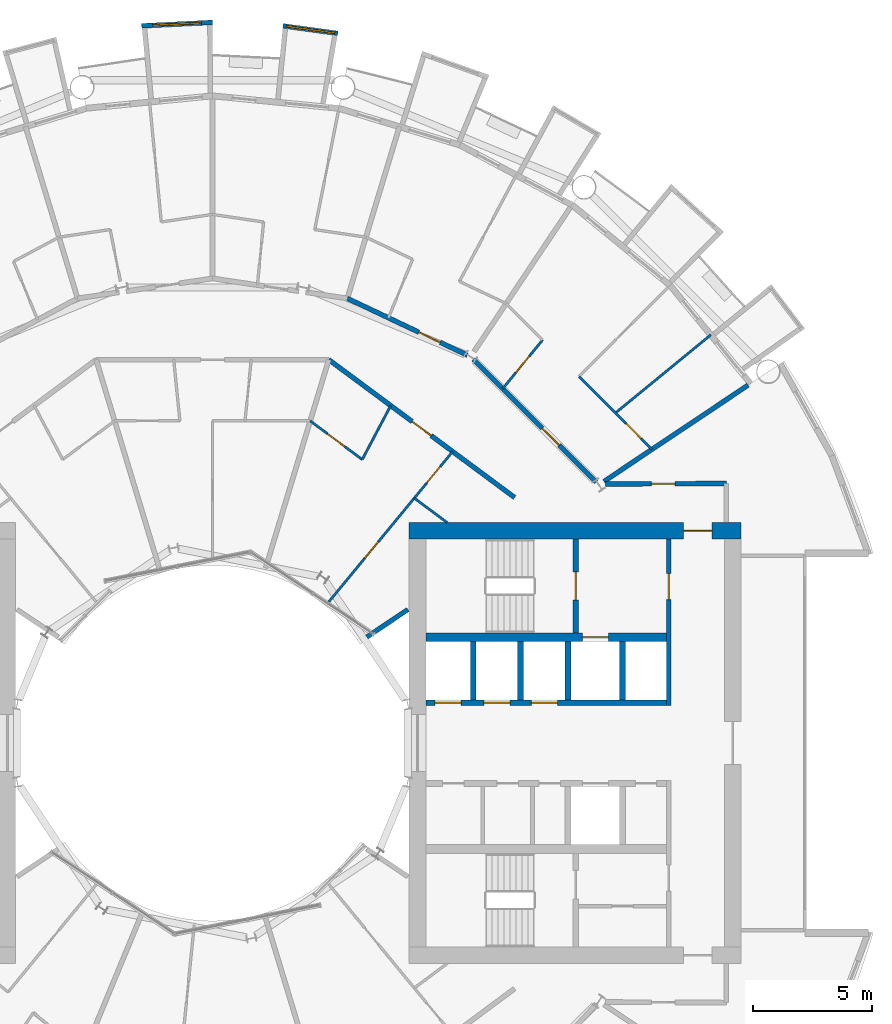
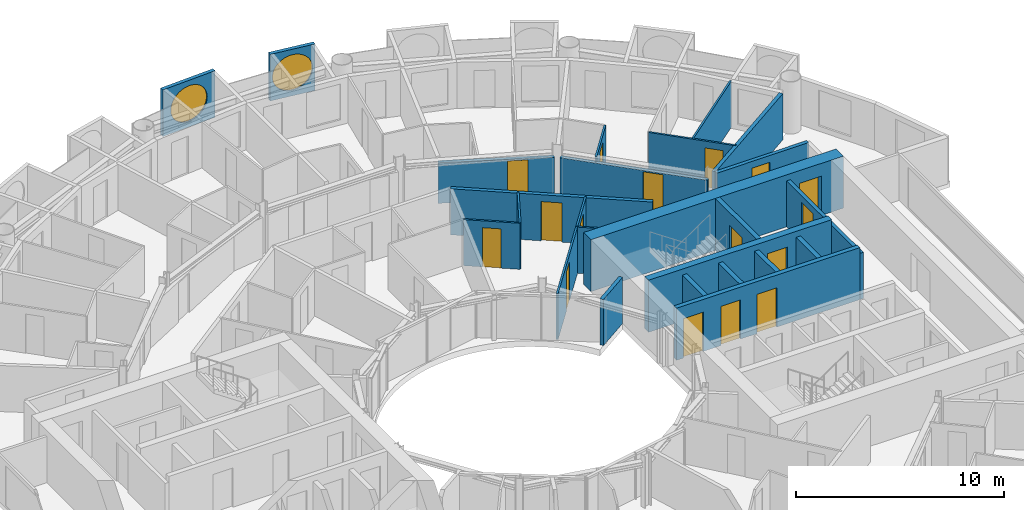
# One storey, part 21 of 26: 24 walls, 16 doors, 2 windows, 18 openings.
"""IFC4 building model written with IfcOpenShell, lengths in metres."""

import ifcopenshell
import ifcopenshell.guid

model = None  # the IFC model being written
_history = None  # IfcOwnerHistory: only IFC2X3 demands one
_inside = {}  # id of a spatial element -> (the spatial element, [elements in it])
_under = {}  # id of a project, library or spatial element -> (it, [spatial elements below it])
_declared = {}  # id of a project -> (the project, [libraries it declares])
_typed = {}  # id of a type object -> (the type object, [elements of that type])
_made_of = {}  # id of a material, layer set ... -> (it, [elements and type objects made of it])


def new_model(schema):
    """Start an empty IFC model of exactly this schema.

    Asked for "IFC4X3", IfcOpenShell would pick the latest addendum, in which some entities
    have other attributes; the version numbers below select the first issue.
    IFC2X3 requires an IfcOwnerHistory on every rooted entity: one is made here for all.
    """
    global model, _history
    if schema == "IFC4X3":
        model = ifcopenshell.file(schema_version=(4, 3, 0, 0))
    else:
        model = ifcopenshell.file(schema=schema)
    _inside.clear()
    _under.clear()
    _declared.clear()
    _typed.clear()
    _made_of.clear()
    _history = None
    if model.schema == "IFC2X3":
        org = make("IfcOrganization", Name="unknown")
        user = make(
            "IfcPersonAndOrganization",
            ThePerson=make("IfcPerson", FamilyName="unknown"),
            TheOrganization=org,
        )
        app = make(
            "IfcApplication",
            ApplicationDeveloper=org,
            Version="unknown",
            ApplicationFullName="unknown",
            ApplicationIdentifier="unknown",
        )
        _history = make(
            "IfcOwnerHistory",
            OwningUser=user,
            OwningApplication=app,
            ChangeAction="ADDED",
            CreationDate=0,
        )
    return model


def make(cls, **values):
    """One entity of the class cls with the attributes given. An attribute that is None is left unset."""
    return model.create_entity(
        cls, **{name: value for name, value in values.items() if value is not None}
    )


def rooted(cls, **values):
    """An entity with a GlobalId (a new one), such as an element, a storey or a relation."""
    return make(cls, GlobalId=ifcopenshell.guid.new(), OwnerHistory=_history, **values)


def si_unit(unit_type, name, prefix=None):
    """IfcSIUnit, for example si_unit("LENGTHUNIT", "METRE", prefix="MILLI")."""
    return make("IfcSIUnit", UnitType=unit_type, Prefix=prefix, Name=name)


def assignment(units):
    """IfcUnitAssignment: the units of a project."""
    return None if units is None else make("IfcUnitAssignment", Units=units)


def point(xyz):
    """IfcCartesianPoint."""
    return None if xyz is None else make("IfcCartesianPoint", Coordinates=xyz)


def direction(xyz):
    """IfcDirection."""
    return None if xyz is None else make("IfcDirection", DirectionRatios=xyz)


def frame(location, z_axis=None, x_axis=None):
    """IfcAxis2Placement3D, a coordinate frame: its origin and axes. An axis left out is left unset."""
    return make(
        "IfcAxis2Placement3D",
        Location=point(location),
        Axis=direction(z_axis),
        RefDirection=direction(x_axis),
    )


def frame_2d(location, x_axis=None):
    """IfcAxis2Placement2D, a coordinate frame in the plane: its origin and x axis."""
    return make(
        "IfcAxis2Placement2D", Location=point(location), RefDirection=direction(x_axis)
    )


def origin():
    """The frame at (0, 0, 0) with its axes left unset."""
    return frame((0.0, 0.0, 0.0))


def place(relative_to, where):
    """IfcLocalPlacement: puts the frame where relative to a parent placement (None: the world)."""
    return make(
        "IfcLocalPlacement", PlacementRelTo=relative_to, RelativePlacement=where
    )


def context(
    kind, dimensions, precision=None, world=None, true_north=None, identifier=None
):
    """IfcGeometricRepresentationContext, for example the 3D "Model" context."""
    return make(
        "IfcGeometricRepresentationContext",
        ContextIdentifier=identifier,
        ContextType=kind,
        CoordinateSpaceDimension=dimensions,
        Precision=precision,
        WorldCoordinateSystem=world,
        TrueNorth=true_north,
    )


def subcontext(parent, identifier, kind, view, scale=None):
    """IfcGeometricRepresentationSubContext, for example "Body" below "Model"."""
    return make(
        "IfcGeometricRepresentationSubContext",
        ContextIdentifier=identifier,
        ContextType=kind,
        ParentContext=parent,
        TargetScale=scale,
        TargetView=view,
    )


def project(units=None, contexts=None):
    """IfcProject with its units and contexts."""
    return rooted(
        "IfcProject",
        Name="project",
        RepresentationContexts=contexts,
        UnitsInContext=assignment(units),
    )


def spatial(cls, under=None, at=None, **own):
    """A site, building, storey or space (cls), placed at a placement, below another one or the project."""
    s = rooted(cls, ObjectPlacement=at, **own)
    if under is not None:
        _under.setdefault(under.id(), (under, []))[1].append(s)
    return s


def profile(cls, at=None, kind="AREA", **sizes):
    """A parametric profile (cls). Its sizes go by their IFC names, for example OverallWidth=200.0."""
    return make(cls, ProfileType=kind, Position=at, **sizes)


def rectangle(**sizes):
    """IfcRectangleProfileDef."""
    return profile("IfcRectangleProfileDef", **sizes)


def circle(**sizes):
    """IfcCircleProfileDef."""
    return profile("IfcCircleProfileDef", **sizes)


def extrude(swept, where, along, depth):
    """IfcExtrudedAreaSolid: the profile swept, set in the frame where, extruded along a direction by depth."""
    return make(
        "IfcExtrudedAreaSolid",
        SweptArea=swept,
        Position=where,
        ExtrudedDirection=direction(along),
        Depth=depth,
    )


def shape(context_of_items, identifier, shape_type, items):
    """IfcShapeRepresentation: the items that make up one representation, for example the "Body"."""
    return make(
        "IfcShapeRepresentation",
        ContextOfItems=context_of_items,
        RepresentationIdentifier=identifier,
        RepresentationType=shape_type,
        Items=items,
    )


def material(Name=None, Category=None):
    """IfcMaterial."""
    return make("IfcMaterial", Name=Name, Category=Category)


def layer(
    of_material, thickness, ventilated=None, Name=None, Category=None, Priority=None
):
    """IfcMaterialLayer: one layer of a wall or slab, of a material (None: an air gap)."""
    return make(
        "IfcMaterialLayer",
        Material=of_material,
        LayerThickness=thickness,
        IsVentilated=ventilated,
        Name=Name,
        Category=Category,
        Priority=Priority,
    )


def layer_set(layers, Name=None):
    """IfcMaterialLayerSet."""
    return make("IfcMaterialLayerSet", MaterialLayers=layers, LayerSetName=Name)


def made_of(thing, what):
    """Note that an element or type object is made of a material, layer set ...; save() writes the relation."""
    if what is not None:
        _made_of.setdefault(what.id(), (what, []))[1].append(thing)
    return thing


def type_object(cls, material=None, **own):
    """A type object (cls), such as IfcWallType, which elements share."""
    return made_of(rooted(cls, **own), material)


def element(
    cls,
    number,
    at=None,
    inside=None,
    cuts=None,
    type_object=None,
    material=None,
    context=None,
    identifier="Body",
    shape_type=None,
    held_by="IfcProductDefinitionShape",
    body=None,
    shapes=None,
    **own,
):
    """One element of the class cls, such as IfcWall. Its Tag is "e" and its number.

    at: its placement. inside: the storey or other place that contains it. cuts: it is an
    opening in that element (IfcRelVoidsElement). A single representation is given by context,
    identifier, shape_type and body (its items); several are given by shapes. held_by: the class
    of the entity that holds the representations. save() writes the other relations.
    """
    e = rooted(cls, Tag="e%d" % number, ObjectPlacement=at, **own)
    if body is not None:
        shapes = [shape(context, identifier, shape_type, body)]
    if shapes is not None:
        e.Representation = make(held_by, Representations=shapes)
    if inside is not None:
        _inside.setdefault(inside.id(), (inside, []))[1].append(e)
    if cuts is not None:
        rooted(
            "IfcRelVoidsElement", RelatingBuildingElement=cuts, RelatedOpeningElement=e
        )
    if type_object is not None:
        _typed.setdefault(type_object.id(), (type_object, []))[1].append(e)
    return made_of(e, material)


def fill(opening, filler):
    """IfcRelFillsElement: the door or window that sits in an opening."""
    return rooted(
        "IfcRelFillsElement",
        RelatingOpeningElement=opening,
        RelatedBuildingElement=filler,
    )


def aggregate(whole, parts):
    """IfcRelAggregates: a whole, such as a stair, and the parts it consists of."""
    return rooted("IfcRelAggregates", RelatingObject=whole, RelatedObjects=parts)


def save(model, path):
    """Write the relations noted so far, then the file.

    IfcRelAggregates (storeys below a building ...), IfcRelContainedInSpatialStructure (elements
    in a storey), IfcRelDefinesByType, IfcRelAssociatesMaterial and IfcRelDeclares: one each for
    every whole, place, type object, material and project.
    """
    for whole, parts in _under.values():
        aggregate(whole, parts)
    for where, things in _inside.values():
        rooted(
            "IfcRelContainedInSpatialStructure",
            RelatedElements=things,
            RelatingStructure=where,
        )
    for kind, things in _typed.values():
        rooted("IfcRelDefinesByType", RelatedObjects=things, RelatingType=kind)
    for what, things in _made_of.values():
        rooted("IfcRelAssociatesMaterial", RelatedObjects=things, RelatingMaterial=what)
    for by, libraries in _declared.values():
        rooted("IfcRelDeclares", RelatingContext=by, RelatedDefinitions=libraries)
    model.write(path)


model = new_model("IFC4")

# Units and contexts
model_context = context("Model", 3, precision=1e-05, world=origin(), true_north=direction((0.0, 1.0)))
body_context = subcontext(model_context, "Body", "Model", "MODEL_VIEW")
ifc_project = project(units=[si_unit("LENGTHUNIT", "METRE"), si_unit("AREAUNIT", "SQUARE_METRE"), si_unit("VOLUMEUNIT", "CUBIC_METRE"), si_unit("PLANEANGLEUNIT", "RADIAN"), si_unit("MASSUNIT", "GRAM", prefix="KILO")], contexts=[model_context])

# Site, building, storey
site_placement = place(None, origin())
site = spatial("IfcSite", under=ifc_project, at=site_placement, CompositionType="ELEMENT")
building_placement = place(site_placement, origin())
building = spatial("IfcBuilding", under=site, at=building_placement, Name="Maasbend Ring Residences", CompositionType="ELEMENT")
storey_placement = place(building_placement, frame((0.0, 0.0, 78.85009765625)))
storey = spatial("IfcBuildingStorey", under=building, at=storey_placement, Name="L22", CompositionType="ELEMENT", Elevation=78.85009765625)

# Wall, openings, doors
ifc_material_1 = material(Name="Concrete C70/85", Category="concrete")
ifc_layer_1 = layer(ifc_material_1, 0.25)
ifc_layer_set_1 = layer_set([ifc_layer_1], Name="Concrete C70/85")
wall_type_1 = type_object("IfcWallType", Name="CORE WALL 250 C70/85", PredefinedType="SHEAR", material=ifc_layer_set_1)
wall_1_placement = place(storey_placement, frame((9.0, 1.699951171875, 0.0), z_axis=(0.0, 0.0, 1.0), x_axis=(1.0, 0.0, 0.0)))
wall_1 = element("IfcWall", 1, at=wall_1_placement, inside=storey, type_object=wall_type_1, Name="L22 core E wall SPN", PredefinedType="SHEAR", context=body_context, shape_type="SweptSolid", body=[
    extrude(rectangle(XDim=10.14990234375, YDim=0.25, at=frame_2d((5.074951171875, 0.0))), origin(), (0.0, 0.0, 1.0), 3.0498046875),
])
opening_1_placement = place(wall_1_placement, frame((0.387451171875, 0.0, 0.0)))
opening_1 = element("IfcOpeningElement", 2, at=opening_1_placement, cuts=wall_1, Name="Opening LD-E2201", PredefinedType="OPENING", context=body_context, shape_type="SweptSolid", body=[
    extrude(rectangle(XDim=1.10009765625, YDim=2.300048828125, at=frame_2d((0.550048828125, 1.14990234375))), frame((0.0, 0.135009765625, 0.0), z_axis=(0.0, -1.0, 0.0), x_axis=(1.0, 0.0, 0.0)), (0.0, 0.0, 1.0), 0.27001953125),
])
opening_2_placement = place(wall_1_placement, frame((2.449951171875, 0.0, 0.0)))
opening_2 = element("IfcOpeningElement", 3, at=opening_2_placement, cuts=wall_1, Name="Opening LD-E2202", PredefinedType="OPENING", context=body_context, shape_type="SweptSolid", body=[
    extrude(rectangle(XDim=1.10009765625, YDim=2.300048828125, at=frame_2d((0.550048828125, 1.14990234375))), frame((0.0, 0.135009765625, 0.0), z_axis=(0.0, -1.0, 0.0), x_axis=(1.0, 0.0, 0.0)), (0.0, 0.0, 1.0), 0.27001953125),
])
opening_3_placement = place(wall_1_placement, frame((4.449951171875, 0.0, 0.0)))
opening_3 = element("IfcOpeningElement", 4, at=opening_3_placement, cuts=wall_1, Name="Opening LD-E2203", PredefinedType="OPENING", context=body_context, shape_type="SweptSolid", body=[
    extrude(rectangle(XDim=1.10009765625, YDim=2.300048828125, at=frame_2d((0.550048828125, 1.14990234375))), frame((0.0, 0.135009765625, 0.0), z_axis=(0.0, -1.0, 0.0), x_axis=(1.0, 0.0, 0.0)), (0.0, 0.0, 1.0), 0.27001953125),
])
ifc_material_2 = material(Name="Stainless steel 316", Category="steel")
door_type_1 = type_object("IfcDoorType", Name="LANDING DOOR 1100 X 2300 FD60", OperationType="DOUBLE_DOOR_SLIDING", PredefinedType="DOOR", material=ifc_material_2)
door_1_placement = place(opening_1_placement, origin())
door_1 = element("IfcDoor", 5, at=door_1_placement, inside=storey, type_object=door_type_1, Name="Landing door LR-E1 L22", OperationType="DOUBLE_DOOR_SLIDING", OverallHeight=2.300048828125, OverallWidth=1.10009765625, PredefinedType="DOOR", context=body_context, shape_type="SweptSolid", body=[
    extrude(rectangle(XDim=1.10009765625, YDim=2.300048828125, at=frame_2d((0.550048828125, 1.14990234375))), frame((0.0, 0.02490234375, 0.0), z_axis=(0.0, -1.0, 0.0), x_axis=(1.0, 0.0, 0.0)), (0.0, 0.0, 1.0), 0.050048828125),
])
fill(opening_1, door_1)
door_2_placement = place(opening_2_placement, origin())
door_2 = element("IfcDoor", 6, at=door_2_placement, inside=storey, type_object=door_type_1, Name="Landing door LR-E2 L22", OperationType="DOUBLE_DOOR_SLIDING", OverallHeight=2.300048828125, OverallWidth=1.10009765625, PredefinedType="DOOR", context=body_context, shape_type="SweptSolid", body=[
    extrude(rectangle(XDim=1.10009765625, YDim=2.300048828125, at=frame_2d((0.550048828125, 1.14990234375))), frame((0.0, 0.02490234375, 0.0), z_axis=(0.0, -1.0, 0.0), x_axis=(1.0, 0.0, 0.0)), (0.0, 0.0, 1.0), 0.050048828125),
])
fill(opening_2, door_2)
door_3_placement = place(opening_3_placement, origin())
door_3 = element("IfcDoor", 7, at=door_3_placement, inside=storey, type_object=door_type_1, Name="Landing door LR-E3 L22", OperationType="DOUBLE_DOOR_SLIDING", OverallHeight=2.300048828125, OverallWidth=1.10009765625, PredefinedType="DOOR", context=body_context, shape_type="SweptSolid", body=[
    extrude(rectangle(XDim=1.10009765625, YDim=2.300048828125, at=frame_2d((0.550048828125, 1.14990234375))), frame((0.0, 0.02490234375, 0.0), z_axis=(0.0, -1.0, 0.0), x_axis=(1.0, 0.0, 0.0)), (0.0, 0.0, 1.0), 0.050048828125),
])
fill(opening_3, door_3)

# Wall, opening, door
wall_2_placement = place(storey_placement, frame((15.324951171875, 4.64990234375, 0.0), z_axis=(0.0, 0.0, 1.0), x_axis=(0.0, 1.0, 0.0)))
wall_2 = element("IfcWall", 8, at=wall_2_placement, inside=storey, type_object=wall_type_1, Name="L22 core E wall STEN", PredefinedType="SHEAR", context=body_context, shape_type="SweptSolid", body=[
    extrude(rectangle(XDim=3.9501953125, YDim=0.25, at=frame_2d((1.97509765625, 0.0))), origin(), (0.0, 0.0, 1.0), 3.0498046875),
])
opening_4_placement = place(wall_2_placement, frame((1.375, 0.0, 0.0)))
opening_4 = element("IfcOpeningElement", 9, at=opening_4_placement, cuts=wall_2, Name="Opening D-E2211", PredefinedType="OPENING", context=body_context, shape_type="SweptSolid", body=[
    extrude(rectangle(XDim=1.199951171875, YDim=2.300048828125, at=frame_2d((0.60009765625, 1.14990234375))), frame((0.0, 0.135009765625, 0.0), z_axis=(0.0, -1.0, 0.0), x_axis=(1.0, 0.0, 0.0)), (0.0, 0.0, 1.0), 0.27001953125),
])
ifc_material_3 = material(Name="Steel, powder coated", Category="steel")
door_type_2 = type_object("IfcDoorType", Name="STAIR DOOR 1200 X 2300 FD60", OperationType="NOTDEFINED", PredefinedType="DOOR", material=ifc_material_3)
door_4_placement = place(opening_4_placement, origin())
door_4 = element("IfcDoor", 10, at=door_4_placement, inside=storey, type_object=door_type_2, Name="Stair door ST-E L22", OperationType="SINGLE_SWING_LEFT", OverallHeight=2.300048828125, OverallWidth=1.199951171875, PredefinedType="DOOR", context=body_context, shape_type="SweptSolid", body=[
    extrude(rectangle(XDim=1.199951171875, YDim=2.300048828125, at=frame_2d((0.60009765625, 1.14990234375))), frame((0.0, 0.02490234375, 0.0), z_axis=(0.0, -1.0, 0.0), x_axis=(1.0, 0.0, 0.0)), (0.0, 0.0, 1.0), 0.050048828125),
])
fill(opening_4, door_4)

ifc_material_4 = material(Name="Concrete C70/85", Category="concrete")
ifc_layer_2 = layer(ifc_material_4, 0.375)
ifc_layer_set_2 = layer_set([ifc_layer_2], Name="Concrete C70/85")
wall_type_2 = type_object("IfcWallType", Name="CORE WALL 375 C70/85", PredefinedType="SHEAR", material=ifc_layer_set_2)
wall_3_placement = place(storey_placement, frame((9.0, 4.46240234375, 0.0), z_axis=(0.0, 0.0, 1.0), x_axis=(1.0, 0.0, 0.0)))
wall_3 = element("IfcWall", 11, at=wall_3_placement, inside=storey, type_object=wall_type_2, Name="L22 core E wall BN", PredefinedType="SHEAR", context=body_context, shape_type="SweptSolid", body=[
    extrude(rectangle(XDim=10.14990234375, YDim=0.375, at=frame_2d((5.074951171875, 0.0))), origin(), (0.0, 0.0, 1.0), 3.0498046875),
])
opening_5_placement = place(wall_3_placement, frame((6.60009765625, 0.0, 0.0)))
opening_5 = element("IfcOpeningElement", 12, at=opening_5_placement, cuts=wall_3, Name="Opening LD-E2204", PredefinedType="OPENING", context=body_context, shape_type="SweptSolid", body=[
    extrude(rectangle(XDim=1.10009765625, YDim=2.300048828125, at=frame_2d((0.550048828125, 1.14990234375))), frame((0.0, 0.197509765625, 0.0), z_axis=(0.0, -1.0, 0.0), x_axis=(1.0, 0.0, 0.0)), (0.0, 0.0, 1.0), 0.39501953125),
])
door_5_placement = place(opening_5_placement, origin())
door_5 = element("IfcDoor", 13, at=door_5_placement, inside=storey, type_object=door_type_1, Name="Landing door FF-E L22", OperationType="DOUBLE_DOOR_SLIDING", OverallHeight=2.300048828125, OverallWidth=1.10009765625, PredefinedType="DOOR", context=body_context, shape_type="SweptSolid", body=[
    extrude(rectangle(XDim=1.10009765625, YDim=2.300048828125, at=frame_2d((0.550048828125, 1.14990234375))), frame((0.0, 0.02490234375, 0.0), z_axis=(0.0, -1.0, 0.0), x_axis=(1.0, 0.0, 0.0)), (0.0, 0.0, 1.0), 0.050048828125),
])
fill(opening_5, door_5)

ifc_material_5 = material(Name="Concrete C70/85", Category="concrete")
ifc_layer_3 = layer(ifc_material_5, 0.699951171875)
ifc_layer_set_3 = layer_set([ifc_layer_3], Name="Concrete C70/85")
wall_type_3 = type_object("IfcWallType", Name="CORE WALL 700 C70/85", PredefinedType="SHEAR", material=ifc_layer_set_3)
wall_4_placement = place(storey_placement, frame((22.300048828125, 8.949951171875, 0.0), z_axis=(0.0, 0.0, 1.0), x_axis=(-1.0, 0.0, 0.0)))
wall_4 = element("IfcWall", 14, at=wall_4_placement, inside=storey, type_object=wall_type_3, Name="L22 core E wall PN", PredefinedType="SHEAR", context=body_context, shape_type="SweptSolid", body=[
    extrude(rectangle(XDim=14.0, YDim=0.699951171875, at=frame_2d((7.0, 0.0))), origin(), (0.0, 0.0, 1.0), 3.0498046875),
])
opening_6_placement = place(wall_4_placement, frame((1.22509765625, 0.0, 0.0)))
opening_6 = element("IfcOpeningElement", 15, at=opening_6_placement, cuts=wall_4, Name="Opening D-E2215", PredefinedType="OPENING", context=body_context, shape_type="SweptSolid", body=[
    extrude(rectangle(XDim=1.199951171875, YDim=2.300048828125, at=frame_2d((0.60009765625, 1.14990234375))), frame((0.0, 0.35986328125, 0.0), z_axis=(0.0, -1.0, 0.0), x_axis=(1.0, 0.0, 0.0)), (0.0, 0.0, 1.0), 0.719970703125),
])
ifc_material_6 = material(Name="Steel, powder coated", Category="steel")
door_type_3 = type_object("IfcDoorType", Name="CORRIDOR DOOR 1200 X 2300 FD30S", OperationType="NOTDEFINED", PredefinedType="DOOR", material=ifc_material_6)
door_6_placement = place(opening_6_placement, origin())
door_6 = element("IfcDoor", 16, at=door_6_placement, inside=storey, type_object=door_type_3, Name="Corridor door L22", OperationType="SINGLE_SWING_RIGHT", OverallHeight=2.300048828125, OverallWidth=1.199951171875, PredefinedType="DOOR", context=body_context, shape_type="SweptSolid", body=[
    extrude(rectangle(XDim=1.199951171875, YDim=2.300048828125, at=frame_2d((0.60009765625, 1.14990234375))), frame((0.0, 0.02490234375, 0.0), z_axis=(0.0, -1.0, 0.0), x_axis=(1.0, 0.0, 0.0)), (0.0, 0.0, 1.0), 0.050048828125),
])
fill(opening_6, door_6)

ifc_material_7 = material(Name="Concrete C30/37", Category="concrete")
ifc_layer_4 = layer(ifc_material_7, 0.199951171875)
ifc_layer_set_4 = layer_set([ifc_layer_4], Name="Concrete C30/37")
wall_type_4 = type_object("IfcWallType", Name="CORRIDOR WALL 200 CONCRETE", PredefinedType="PARTITIONING", material=ifc_layer_set_4)
wall_5_placement = place(storey_placement, frame((16.587890625, 10.925048828125, 0.0), z_axis=(0.0, 0.0, 1.0), x_axis=(0.999988019025, 0.004895079807, 0.0)))
wall_5 = element("IfcWall", 17, at=wall_5_placement, inside=storey, type_object=wall_type_4, Name="U-L22-w097", PredefinedType="PARTITIONING", context=body_context, shape_type="SweptSolid", body=[
    extrude(rectangle(XDim=5.087158203125, YDim=0.199951171875, at=frame_2d((2.54345703125, 0.0))), origin(), (0.0, 0.0, 1.0), 2.699951171875),
])
opening_7_placement = place(wall_5_placement, frame((1.925048828125, 0.0, 0.0)))
opening_7 = element("IfcOpeningElement", 18, at=opening_7_placement, cuts=wall_5, Name="Opening D-2271", PredefinedType="OPENING", context=body_context, shape_type="SweptSolid", body=[
    extrude(rectangle(XDim=1.0, YDim=2.300048828125, at=frame_2d((0.5, 1.14990234375))), frame((0.0, 0.10986328125, 0.0), z_axis=(0.0, -1.0, 0.0), x_axis=(1.0, 0.0, 0.0)), (0.0, 0.0, 1.0), 0.219970703125),
])
ifc_material_8 = material(Name="Timber, painted", Category="wood")
door_type_4 = type_object("IfcDoorType", Name="ROOM DOOR 1000 X 2300", OperationType="NOTDEFINED", PredefinedType="DOOR", material=ifc_material_8)
door_7_placement = place(opening_7_placement, origin())
door_7 = element("IfcDoor", 19, at=door_7_placement, inside=storey, type_object=door_type_4, Name="D-2271", OperationType="SINGLE_SWING_LEFT", OverallHeight=2.300048828125, OverallWidth=1.0, PredefinedType="DOOR", context=body_context, shape_type="SweptSolid", body=[
    extrude(rectangle(XDim=1.0, YDim=2.300048828125, at=frame_2d((0.5, 1.14990234375))), frame((0.0, 0.02490234375, 0.0), z_axis=(0.0, -1.0, 0.0), x_axis=(1.0, 0.0, 0.0)), (0.0, 0.0, 1.0), 0.050048828125),
])
fill(opening_7, door_7)

wall_6_placement = place(storey_placement, frame((4.906005859375, 16.172119140625, 0.0), z_axis=(0.0, 0.0, 1.0), x_axis=(0.803191461888, -0.595720971219, 0.0)))
wall_6 = element("IfcWall", 20, at=wall_6_placement, inside=storey, type_object=wall_type_4, Name="U-L22-w105", PredefinedType="PARTITIONING", context=body_context, shape_type="SweptSolid", body=[
    extrude(rectangle(XDim=9.760009765625, YDim=0.199951171875, at=frame_2d((4.8798828125, 0.0))), origin(), (0.0, 0.0, 1.0), 2.699951171875),
])
opening_8_placement = place(wall_6_placement, frame((4.3798828125, 0.0, 0.0)))
opening_8 = element("IfcOpeningElement", 21, at=opening_8_placement, cuts=wall_6, Name="Opening D-2221", PredefinedType="OPENING", context=body_context, shape_type="SweptSolid", body=[
    extrude(rectangle(XDim=1.0, YDim=2.300048828125, at=frame_2d((0.5, 1.14990234375))), frame((0.0, 0.10986328125, 0.0), z_axis=(0.0, -1.0, 0.0), x_axis=(1.0, 0.0, 0.0)), (0.0, 0.0, 1.0), 0.219970703125),
])
ifc_material_9 = material(Name="Timber, fire-rated, painted", Category="wood")
door_type_5 = type_object("IfcDoorType", Name="FLAT ENTRANCE DOOR 1000 X 2300 FIRE-RATED", OperationType="NOTDEFINED", PredefinedType="DOOR", material=ifc_material_9)
door_8_placement = place(opening_8_placement, origin())
door_8 = element("IfcDoor", 22, at=door_8_placement, inside=storey, type_object=door_type_5, Name="D-2221", OperationType="SINGLE_SWING_LEFT", OverallHeight=2.300048828125, OverallWidth=1.0, PredefinedType="DOOR", context=body_context, shape_type="SweptSolid", body=[
    extrude(rectangle(XDim=1.0, YDim=2.300048828125, at=frame_2d((0.5, 1.14990234375))), frame((0.0, 0.02490234375, 0.0), z_axis=(0.0, -1.0, 0.0), x_axis=(1.0, 0.0, 0.0)), (0.0, 0.0, 1.0), 0.050048828125),
])
fill(opening_8, door_8)

wall_7_placement = place(storey_placement, frame((11.0, 16.18603515625, 0.0), z_axis=(0.0, 0.0, 1.0), x_axis=(0.707106781187, -0.707106781187, 0.0)))
wall_7 = element("IfcWall", 23, at=wall_7_placement, inside=storey, type_object=wall_type_4, Name="U-L22-w108", PredefinedType="PARTITIONING", context=body_context, shape_type="SweptSolid", body=[
    extrude(rectangle(XDim=7.334228515625, YDim=0.199951171875, at=frame_2d((3.6669921875, 0.0))), origin(), (0.0, 0.0, 1.0), 2.3798828125),
])
opening_9_placement = place(wall_7_placement, frame((4.123046875, 0.0, 0.0)))
opening_9 = element("IfcOpeningElement", 24, at=opening_9_placement, cuts=wall_7, Name="Opening D-2201", PredefinedType="OPENING", context=body_context, shape_type="SweptSolid", body=[
    extrude(rectangle(XDim=1.0, YDim=2.300048828125, at=frame_2d((0.5, 1.14990234375))), frame((0.0, 0.10986328125, 0.0), z_axis=(0.0, -1.0, 0.0), x_axis=(1.0, 0.0, 0.0)), (0.0, 0.0, 1.0), 0.219970703125),
])
door_9_placement = place(opening_9_placement, origin())
door_9 = element("IfcDoor", 25, at=door_9_placement, inside=storey, type_object=door_type_5, Name="D-2201", OperationType="SINGLE_SWING_RIGHT", OverallHeight=2.300048828125, OverallWidth=1.0, PredefinedType="DOOR", context=body_context, shape_type="SweptSolid", body=[
    extrude(rectangle(XDim=1.0, YDim=2.300048828125, at=frame_2d((0.5, 1.14990234375))), frame((0.0, 0.02490234375, 0.0), z_axis=(0.0, -1.0, 0.0), x_axis=(1.0, 0.0, 0.0)), (0.0, 0.0, 1.0), 0.050048828125),
])
fill(opening_9, door_9)

wall_8_placement = place(storey_placement, frame((5.68994140625, 18.756103515625, 0.0), z_axis=(0.0, 0.0, 1.0), x_axis=(0.903901201372, -0.427741298169, 0.0)))
wall_8 = element("IfcWall", 26, at=wall_8_placement, inside=storey, type_object=wall_type_4, Name="U-L22-w114", PredefinedType="PARTITIONING", context=body_context, shape_type="SweptSolid", body=[
    extrude(rectangle(XDim=5.596923828125, YDim=0.199951171875, at=frame_2d((2.79833984375, 0.0))), origin(), (0.0, 0.0, 1.0), 2.3798828125),
])
opening_10_placement = place(wall_8_placement, frame((3.333984375, 0.0, 0.0)))
opening_10 = element("IfcOpeningElement", 27, at=opening_10_placement, cuts=wall_8, Name="Opening D-2205", PredefinedType="OPENING", context=body_context, shape_type="SweptSolid", body=[
    extrude(rectangle(XDim=1.0, YDim=2.300048828125, at=frame_2d((0.5, 1.14990234375))), frame((0.0, 0.10986328125, 0.0), z_axis=(0.0, -1.0, 0.0), x_axis=(1.0, 0.0, 0.0)), (0.0, 0.0, 1.0), 0.219970703125),
])
door_10_placement = place(opening_10_placement, origin())
door_10 = element("IfcDoor", 28, at=door_10_placement, inside=storey, type_object=door_type_5, Name="D-2205", OperationType="SINGLE_SWING_RIGHT", OverallHeight=2.300048828125, OverallWidth=1.0, PredefinedType="DOOR", context=body_context, shape_type="SweptSolid", body=[
    extrude(rectangle(XDim=1.0, YDim=2.300048828125, at=frame_2d((0.5, 1.14990234375))), frame((0.0, 0.02490234375, 0.0), z_axis=(0.0, -1.0, 0.0), x_axis=(1.0, 0.0, 0.0)), (0.0, 0.0, 1.0), 0.050048828125),
])
fill(opening_10, door_10)

# Wall, opening, window
ifc_material_10 = material(Name="Pale anodised aluminium panel", Category="aluminium")
ifc_layer_5 = layer(ifc_material_10, 0.199951171875)
ifc_layer_set_5 = layer_set([ifc_layer_5], Name="EW-BOX")
wall_type_5 = type_object("IfcWallType", Name="EW-BOX", PredefinedType="SOLIDWALL", material=ifc_layer_set_5)
wall_9_placement = place(storey_placement, frame((5.2900390625, 29.93603515625, -0.030029296875), z_axis=(0.0, 0.0, 1.0), x_axis=(-0.990696111261, 0.136092671119, 0.0)))
wall_9 = element("IfcWall", 29, at=wall_9_placement, inside=storey, type_object=wall_type_5, Name="Box front N09", PredefinedType="SOLIDWALL", context=body_context, shape_type="SweptSolid", body=[
    extrude(rectangle(XDim=2.335693359375, YDim=0.199951171875, at=frame_2d((1.16796875, 0.0))), origin(), (0.0, 0.0, 1.0), 2.72998046875),
])
opening_11_placement = place(wall_9_placement, frame((0.128173828125, 0.0, 0.330078125)))
opening_11 = element("IfcOpeningElement", 30, at=opening_11_placement, cuts=wall_9, Name="Opening W-RD", PredefinedType="OPENING", context=body_context, shape_type="SweptSolid", body=[
    extrude(circle(Radius=1.0400390625, at=frame_2d((1.0400390625, 1.0400390625))), frame((0.0, 0.10986328125, 0.0), z_axis=(0.0, -1.0, 0.0), x_axis=(1.0, 0.0, 0.0)), (0.0, 0.0, 1.0), 0.219970703125),
])
ifc_material_11 = material(Name="Aluminium and clear glass", Category="aluminium")
window_type = type_object("IfcWindowType", Name="W-RD", PartitioningType="SINGLE_PANEL", PredefinedType="WINDOW", material=ifc_material_11)
window_1_placement = place(opening_11_placement, origin())
window_1 = element("IfcWindow", 31, at=window_1_placement, inside=storey, type_object=window_type, Name="Round window N09", OverallHeight=2.080078125, OverallWidth=2.080078125, PartitioningType="SINGLE_PANEL", PredefinedType="WINDOW", context=body_context, shape_type="SweptSolid", body=[
    extrude(circle(Radius=1.0400390625, at=frame_2d((1.0400390625, 1.0400390625))), frame((0.0, 0.030029296875, 0.0), z_axis=(0.0, -1.0, 0.0), x_axis=(1.0, 0.0, 0.0)), (0.0, 0.0, 1.0), 0.06005859375),
])
fill(opening_11, window_1)

wall_10_placement = place(storey_placement, frame((0.0048828125, 30.39990234375, -0.030029296875), z_axis=(0.0, 0.0, 1.0), x_axis=(-0.998794083011, -0.049095618353, 0.0)))
wall_10 = element("IfcWall", 32, at=wall_10_placement, inside=storey, type_object=wall_type_5, Name="Box front N11", PredefinedType="SOLIDWALL", context=body_context, shape_type="SweptSolid", body=[
    extrude(rectangle(XDim=2.99365234375, YDim=0.199951171875, at=frame_2d((1.496826171875, 0.0))), origin(), (0.0, 0.0, 1.0), 2.72998046875),
])
opening_12_placement = place(wall_10_placement, frame((0.45654296875, 0.0, 0.330078125)))
opening_12 = element("IfcOpeningElement", 33, at=opening_12_placement, cuts=wall_10, Name="Opening W-RD", PredefinedType="OPENING", context=body_context, shape_type="SweptSolid", body=[
    extrude(circle(Radius=1.0400390625, at=frame_2d((1.0400390625, 1.0400390625))), frame((0.0, 0.10986328125, 0.0), z_axis=(0.0, -1.0, 0.0), x_axis=(1.0, 0.0, 0.0)), (0.0, 0.0, 1.0), 0.219970703125),
])
window_2_placement = place(opening_12_placement, origin())
window_2 = element("IfcWindow", 34, at=window_2_placement, inside=storey, type_object=window_type, Name="Round window N11", OverallHeight=2.080078125, OverallWidth=2.080078125, PartitioningType="SINGLE_PANEL", PredefinedType="WINDOW", context=body_context, shape_type="SweptSolid", body=[
    extrude(circle(Radius=1.0400390625, at=frame_2d((1.0400390625, 1.0400390625))), frame((0.0, 0.030029296875, 0.0), z_axis=(0.0, -1.0, 0.0), x_axis=(1.0, 0.0, 0.0)), (0.0, 0.0, 1.0), 0.06005859375),
])
fill(opening_12, window_2)

# Wall, openings, doors
ifc_material_12 = material(Name="Gypsum board on steel studs", Category="steel")
ifc_layer_6 = layer(ifc_material_12, 0.10009765625)
ifc_layer_set_6 = layer_set([ifc_layer_6], Name="PARTITION 100 GYPSUM")
wall_type_6 = type_object("IfcWallType", Name="PARTITION 100 GYPSUM", PredefinedType="PARTITIONING", material=ifc_layer_set_6)
wall_11_placement = place(storey_placement, frame((4.908935546875, 5.9580078125, 0.0), z_axis=(0.0, 0.0, 1.0), x_axis=(0.635976043025, 0.771708800454, 0.0)))
wall_11 = element("IfcWall", 35, at=wall_11_placement, inside=storey, type_object=wall_type_6, Name="U-L22-w076", PredefinedType="PARTITIONING", context=body_context, shape_type="SweptSolid", body=[
    extrude(rectangle(XDim=8.212890625, YDim=0.10009765625, at=frame_2d((4.1064453125, 0.0))), origin(), (0.0, 0.0, 1.0), 2.699951171875),
])
opening_13_placement = place(wall_11_placement, frame((6.489990234375, 0.0, 0.0)))
opening_13 = element("IfcOpeningElement", 36, at=opening_13_placement, cuts=wall_11, Name="Opening D-2223", PredefinedType="OPENING", context=body_context, shape_type="SweptSolid", body=[
    extrude(rectangle(XDim=0.89990234375, YDim=2.300048828125, at=frame_2d((0.449951171875, 1.14990234375))), frame((0.0, 0.06005859375, 0.0), z_axis=(0.0, -1.0, 0.0), x_axis=(1.0, 0.0, 0.0)), (0.0, 0.0, 1.0), 0.1201171875),
])
opening_14_placement = place(wall_11_placement, frame((2.384033203125, 0.0, 0.0)))
opening_14 = element("IfcOpeningElement", 37, at=opening_14_placement, cuts=wall_11, Name="Opening D-2224", PredefinedType="OPENING", context=body_context, shape_type="SweptSolid", body=[
    extrude(rectangle(XDim=0.89990234375, YDim=2.300048828125, at=frame_2d((0.449951171875, 1.14990234375))), frame((0.0, 0.06005859375, 0.0), z_axis=(0.0, -1.0, 0.0), x_axis=(1.0, 0.0, 0.0)), (0.0, 0.0, 1.0), 0.1201171875),
])
ifc_material_13 = material(Name="Timber, painted", Category="wood")
door_type_6 = type_object("IfcDoorType", Name="INTERNAL DOOR 900 X 2300", OperationType="NOTDEFINED", PredefinedType="DOOR", material=ifc_material_13)
door_11_placement = place(opening_13_placement, origin())
door_11 = element("IfcDoor", 38, at=door_11_placement, inside=storey, type_object=door_type_6, Name="D-2223", OperationType="SINGLE_SWING_RIGHT", OverallHeight=2.300048828125, OverallWidth=0.89990234375, PredefinedType="DOOR", context=body_context, shape_type="SweptSolid", body=[
    extrude(rectangle(XDim=0.89990234375, YDim=2.300048828125, at=frame_2d((0.449951171875, 1.14990234375))), frame((0.0, 0.02490234375, 0.0), z_axis=(0.0, -1.0, 0.0), x_axis=(1.0, 0.0, 0.0)), (0.0, 0.0, 1.0), 0.050048828125),
])
fill(opening_13, door_11)
door_12_placement = place(opening_14_placement, origin())
door_12 = element("IfcDoor", 39, at=door_12_placement, inside=storey, type_object=door_type_6, Name="D-2224", OperationType="SINGLE_SWING_LEFT", OverallHeight=2.300048828125, OverallWidth=0.89990234375, PredefinedType="DOOR", context=body_context, shape_type="SweptSolid", body=[
    extrude(rectangle(XDim=0.89990234375, YDim=2.300048828125, at=frame_2d((0.449951171875, 1.14990234375))), frame((0.0, 0.02490234375, 0.0), z_axis=(0.0, -1.0, 0.0), x_axis=(1.0, 0.0, 0.0)), (0.0, 0.0, 1.0), 0.050048828125),
])
fill(opening_14, door_12)

# Wall
wall_12_placement = place(storey_placement, frame((6.318115234375, 11.9599609375, 0.0), z_axis=(0.0, 0.0, 1.0), x_axis=(0.467001992543, 0.884256263173, 0.0)))
element("IfcWall", 40, at=wall_12_placement, inside=storey, type_object=wall_type_6, Name="U-L22-w079", PredefinedType="PARTITIONING", context=body_context, shape_type="SweptSolid", body=[
    extrude(rectangle(XDim=2.571533203125, YDim=0.10009765625, at=frame_2d((1.28564453125, 0.0))), origin(), (0.0, 0.0, 1.0), 2.699951171875),
])

# Wall, opening, door
wall_13_placement = place(storey_placement, frame((12.240966796875, 14.945068359375, 0.0), z_axis=(0.0, 0.0, 1.0), x_axis=(0.633582447834, 0.77367517848, 0.0)))
wall_13 = element("IfcWall", 41, at=wall_13_placement, inside=storey, type_object=wall_type_6, Name="U-L22-w085", PredefinedType="PARTITIONING", context=body_context, shape_type="SweptSolid", body=[
    extrude(rectangle(XDim=2.6611328125, YDim=0.10009765625, at=frame_2d((1.33056640625, 0.0))), origin(), (0.0, 0.0, 1.0), 2.699951171875),
])
opening_15_placement = place(wall_13_placement, frame((0.881103515625, 0.0, 0.0)))
opening_15 = element("IfcOpeningElement", 42, at=opening_15_placement, cuts=wall_13, Name="Opening D-2202", PredefinedType="OPENING", context=body_context, shape_type="SweptSolid", body=[
    extrude(rectangle(XDim=0.89990234375, YDim=2.300048828125, at=frame_2d((0.449951171875, 1.14990234375))), frame((0.0, 0.06005859375, 0.0), z_axis=(0.0, -1.0, 0.0), x_axis=(1.0, 0.0, 0.0)), (0.0, 0.0, 1.0), 0.1201171875),
])
door_13_placement = place(opening_15_placement, origin())
door_13 = element("IfcDoor", 43, at=door_13_placement, inside=storey, type_object=door_type_6, Name="D-2202", OperationType="SINGLE_SWING_LEFT", OverallHeight=2.300048828125, OverallWidth=0.89990234375, PredefinedType="DOOR", context=body_context, shape_type="SweptSolid", body=[
    extrude(rectangle(XDim=0.89990234375, YDim=2.300048828125, at=frame_2d((0.449951171875, 1.14990234375))), frame((0.0, 0.02490234375, 0.0), z_axis=(0.0, -1.0, 0.0), x_axis=(1.0, 0.0, 0.0)), (0.0, 0.0, 1.0), 0.050048828125),
])
fill(opening_15, door_13)

# Wall
wall_14_placement = place(storey_placement, frame((17.00390625, 13.927001953125, 0.0), z_axis=(0.0, 0.0, 1.0), x_axis=(0.773517471898, 0.633774976367, 0.0)))
element("IfcWall", 44, at=wall_14_placement, inside=storey, type_object=wall_type_6, Name="U-L22-w093", PredefinedType="PARTITIONING", context=body_context, shape_type="SweptSolid", body=[
    extrude(rectangle(XDim=5.19580078125, YDim=0.10009765625, at=frame_2d((2.597900390625, 0.0))), origin(), (0.0, 0.0, 1.0), 2.699951171875),
])

# Wall, opening, door
wall_15_placement = place(storey_placement, frame((4.1220703125, 13.589111328125, 0.0), z_axis=(0.0, 0.0, 1.0), x_axis=(0.803128348509, -0.595806055542, 0.0)))
wall_15 = element("IfcWall", 45, at=wall_15_placement, inside=storey, type_object=wall_type_6, Name="U-L22-w100", PredefinedType="PARTITIONING", context=body_context, shape_type="SweptSolid", body=[
    extrude(rectangle(XDim=2.734375, YDim=0.10009765625, at=frame_2d((1.3671875, 0.0))), origin(), (0.0, 0.0, 1.0), 2.699951171875),
])
opening_16_placement = place(wall_15_placement, frame((0.9169921875, 0.0, 0.0)))
opening_16 = element("IfcOpeningElement", 46, at=opening_16_placement, cuts=wall_15, Name="Opening D-2222", PredefinedType="OPENING", context=body_context, shape_type="SweptSolid", body=[
    extrude(rectangle(XDim=0.89990234375, YDim=2.300048828125, at=frame_2d((0.449951171875, 1.14990234375))), frame((0.0, 0.06005859375, 0.0), z_axis=(0.0, -1.0, 0.0), x_axis=(1.0, 0.0, 0.0)), (0.0, 0.0, 1.0), 0.1201171875),
])
door_14_placement = place(opening_16_placement, origin())
door_14 = element("IfcDoor", 47, at=door_14_placement, inside=storey, type_object=door_type_6, Name="D-2222", OperationType="SINGLE_SWING_LEFT", OverallHeight=2.300048828125, OverallWidth=0.89990234375, PredefinedType="DOOR", context=body_context, shape_type="SweptSolid", body=[
    extrude(rectangle(XDim=0.89990234375, YDim=2.300048828125, at=frame_2d((0.449951171875, 1.14990234375))), frame((0.0, 0.02490234375, 0.0), z_axis=(0.0, -1.0, 0.0), x_axis=(1.0, 0.0, 0.0)), (0.0, 0.0, 1.0), 0.050048828125),
])
fill(opening_16, door_14)

# Wall
wall_16_placement = place(storey_placement, frame((8.511962890625, 10.33203125, 0.0), z_axis=(0.0, 0.0, 1.0), x_axis=(0.803135014325, -0.595797070121, 0.0)))
element("IfcWall", 48, at=wall_16_placement, inside=storey, type_object=wall_type_6, Name="U-L22-w101", PredefinedType="PARTITIONING", context=body_context, shape_type="SweptSolid", body=[
    extrude(rectangle(XDim=1.732177734375, YDim=0.10009765625, at=frame_2d((0.8662109375, 0.0))), origin(), (0.0, 0.0, 1.0), 2.699951171875),
])

# Wall, opening, door
wall_17_placement = place(storey_placement, frame((15.465087890625, 15.465087890625, 0.0), z_axis=(0.0, 0.0, 1.0), x_axis=(0.707190945535, -0.707022606819, 0.0)))
wall_17 = element("IfcWall", 49, at=wall_17_placement, inside=storey, type_object=wall_type_6, Name="U-L22-w120", PredefinedType="PARTITIONING", context=body_context, shape_type="SweptSolid", body=[
    extrude(rectangle(XDim=4.350830078125, YDim=0.10009765625, at=frame_2d((2.17529296875, 0.0))), origin(), (0.0, 0.0, 1.0), 2.699951171875),
])
opening_17_placement = place(wall_17_placement, frame((2.81201171875, 0.0, 0.0)))
opening_17 = element("IfcOpeningElement", 50, at=opening_17_placement, cuts=wall_17, Name="Opening D-2204", PredefinedType="OPENING", context=body_context, shape_type="SweptSolid", body=[
    extrude(rectangle(XDim=0.89990234375, YDim=2.300048828125, at=frame_2d((0.449951171875, 1.14990234375))), frame((0.0, 0.06005859375, 0.0), z_axis=(0.0, -1.0, 0.0), x_axis=(1.0, 0.0, 0.0)), (0.0, 0.0, 1.0), 0.1201171875),
])
door_15_placement = place(opening_17_placement, origin())
door_15 = element("IfcDoor", 51, at=door_15_placement, inside=storey, type_object=door_type_6, Name="D-2204", OperationType="SINGLE_SWING_RIGHT", OverallHeight=2.300048828125, OverallWidth=0.89990234375, PredefinedType="DOOR", context=body_context, shape_type="SweptSolid", body=[
    extrude(rectangle(XDim=0.89990234375, YDim=2.300048828125, at=frame_2d((0.449951171875, 1.14990234375))), frame((0.0, 0.02490234375, 0.0), z_axis=(0.0, -1.0, 0.0), x_axis=(1.0, 0.0, 0.0)), (0.0, 0.0, 1.0), 0.050048828125),
])
fill(opening_17, door_15)

# Walls
ifc_material_14 = material(Name="Concrete C30/37", Category="concrete")
ifc_layer_7 = layer(ifc_material_14, 0.199951171875)
ifc_layer_set_7 = layer_set([ifc_layer_7], Name="Concrete C30/37")
wall_type_7 = type_object("IfcWallType", Name="PARTY WALL 200 CONCRETE", PredefinedType="PARTITIONING", material=ifc_layer_set_7)
wall_18_placement = place(storey_placement, frame((16.514892578125, 11.033935546875, 0.0), z_axis=(0.0, 0.0, 1.0), x_axis=(0.831382022135, 0.555701298605, 0.0)))
element("IfcWall", 52, at=wall_18_placement, inside=storey, type_object=wall_type_7, Name="U-L22-w092", PredefinedType="PARTITIONING", context=body_context, shape_type="SweptSolid", body=[
    extrude(rectangle(XDim=7.313232421875, YDim=0.199951171875, at=frame_2d((3.65673828125, 0.0))), origin(), (0.0, 0.0, 1.0), 2.699951171875),
])
wall_19_placement = place(storey_placement, frame((6.512939453125, 4.471923828125, 0.0), z_axis=(0.0, 0.0, 1.0), x_axis=(0.831382204863, 0.555701025225, 0.0)))
element("IfcWall", 53, at=wall_19_placement, inside=storey, type_object=wall_type_7, Name="U-L22-w095", PredefinedType="PARTITIONING", context=body_context, shape_type="SweptSolid", body=[
    extrude(rectangle(XDim=2.08203125, YDim=0.199951171875, at=frame_2d((1.041015625, 0.0))), origin(), (0.0, 0.0, 1.0), 2.699951171875),
])

# Wall, opening, door
ifc_material_15 = material(Name="Concrete C30/37", Category="concrete")
ifc_layer_8 = layer(ifc_material_15, 0.199951171875)
ifc_layer_set_8 = layer_set([ifc_layer_8], Name="Concrete C30/37")
wall_type_8 = type_object("IfcWallType", Name="SHAFT WALL 200 EI 120", PredefinedType="SOLIDWALL", material=ifc_layer_set_8)
wall_20_placement = place(storey_placement, frame((19.25, 1.574951171875, 0.0), z_axis=(0.0, 0.0, 1.0), x_axis=(0.0, 1.0, 0.0)))
wall_20 = element("IfcWall", 54, at=wall_20_placement, inside=storey, type_object=wall_type_8, Name="L22 core E wall ENDN", PredefinedType="SOLIDWALL", context=body_context, shape_type="SweptSolid", body=[
    extrude(rectangle(XDim=7.025146484375, YDim=0.199951171875, at=frame_2d((3.5126953125, 0.0))), origin(), (0.0, 0.0, 1.0), 2.699951171875),
])
opening_18_placement = place(wall_20_placement, frame((4.47509765625, 0.0, 0.0)))
opening_18 = element("IfcOpeningElement", 55, at=opening_18_placement, cuts=wall_20, Name="Opening D-E2213", PredefinedType="OPENING", context=body_context, shape_type="SweptSolid", body=[
    extrude(rectangle(XDim=1.10009765625, YDim=2.300048828125, at=frame_2d((0.550048828125, 1.14990234375))), frame((0.0, 0.10986328125, 0.0), z_axis=(0.0, -1.0, 0.0), x_axis=(1.0, 0.0, 0.0)), (0.0, 0.0, 1.0), 0.219970703125),
])
ifc_material_16 = material(Name="Steel, powder coated", Category="steel")
door_type_7 = type_object("IfcDoorType", Name="LOBBY DOOR 1100 X 2300 FD60", OperationType="NOTDEFINED", PredefinedType="DOOR", material=ifc_material_16)
door_16_placement = place(opening_18_placement, origin())
door_16 = element("IfcDoor", 56, at=door_16_placement, inside=storey, type_object=door_type_7, Name="Lobby door L22", OperationType="SINGLE_SWING_LEFT", OverallHeight=2.300048828125, OverallWidth=1.10009765625, PredefinedType="DOOR", context=body_context, shape_type="SweptSolid", body=[
    extrude(rectangle(XDim=1.10009765625, YDim=2.300048828125, at=frame_2d((0.550048828125, 1.14990234375))), frame((0.0, 0.02490234375, 0.0), z_axis=(0.0, -1.0, 0.0), x_axis=(1.0, 0.0, 0.0)), (0.0, 0.0, 1.0), 0.050048828125),
])
fill(opening_18, door_16)

# Walls
ifc_material_17 = material(Name="Concrete C30/37", Category="concrete")
ifc_layer_9 = layer(ifc_material_17, 0.25)
ifc_layer_set_9 = layer_set([ifc_layer_9], Name="Concrete C30/37")
wall_type_9 = type_object("IfcWallType", Name="SHAFT WALL 250 EI 120", PredefinedType="SOLIDWALL", material=ifc_layer_set_9)
for number, where, z_axis, x_axis, name in (
    (57, (15.0, 1.824951171875, 0.0), (0.0, 0.0, 1.0), (0.0, 1.0, 0.0), "L22 core E wall D150N"),
    (58, (17.300048828125, 1.824951171875, 0.0), (0.0, 0.0, 1.0), (0.0, 1.0, 0.0), "L22 core E wall D173N"),
    (59, (11.0, 1.824951171875, 0.0), (0.0, 0.0, 1.0), (0.0, 1.0, 0.0), "L22 core E wall D110N"),
    (60, (13.0, 1.824951171875, 0.0), (0.0, 0.0, 1.0), (0.0, 1.0, 0.0), "L22 core E wall D130N"),
):
    element("IfcWall", number, at=place(storey_placement, frame(where, z_axis=z_axis, x_axis=x_axis)), inside=storey, type_object=wall_type_9, Name=name, PredefinedType="SOLIDWALL", context=body_context, shape_type="SweptSolid", body=[
        extrude(rectangle(XDim=2.449951171875, YDim=0.25, at=frame_2d((1.22509765625, 0.0))), origin(), (0.0, 0.0, 1.0), 2.699951171875),
    ])

save(model, "model.ifc")
